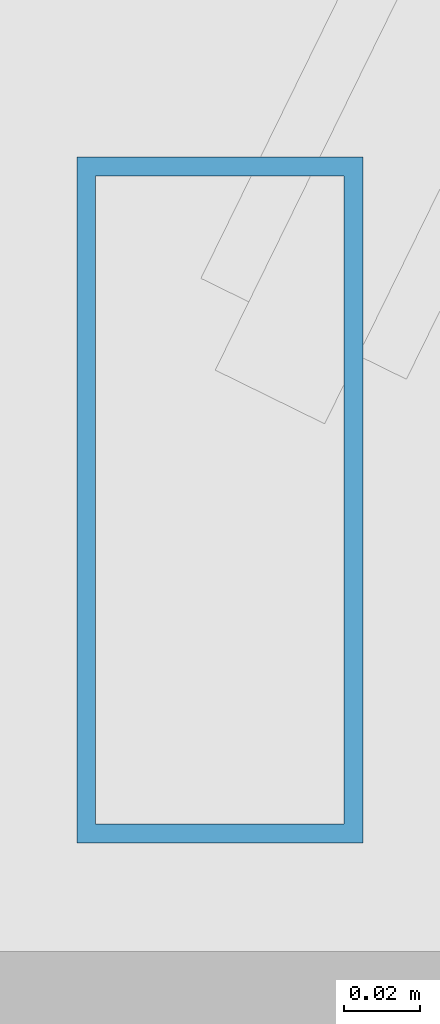
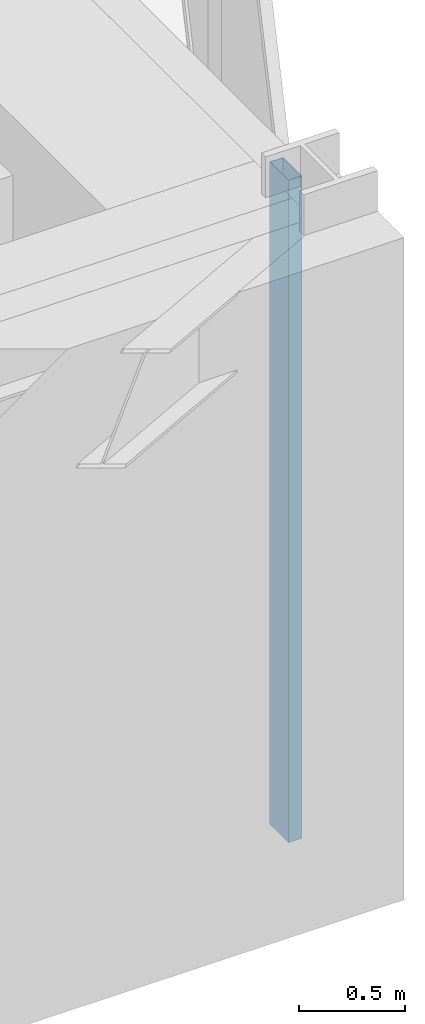
# One storey, part 16 of 29: 1 member, 1 element without a shape of its own.
"""IFC4 building model written with IfcOpenShell, lengths in metres."""

from ifc_helpers import new_model, si_unit, direction, frame, origin, origin_2d, place, context, subcontext, project, spatial, hollow_rectangle, extrude, material, layer, layer_set, material_profile, profile_set, type_object, element, aggregate, save


model = new_model("IFC4")

# Units and contexts
model_context = context("Model", 3, precision=1e-05, world=origin(), true_north=direction((0.0, 1.0)))
body_context = subcontext(model_context, "Body", "Model", "MODEL_VIEW")
ifc_project = project(units=[si_unit("LENGTHUNIT", "METRE"), si_unit("AREAUNIT", "SQUARE_METRE"), si_unit("VOLUMEUNIT", "CUBIC_METRE"), si_unit("PLANEANGLEUNIT", "RADIAN"), si_unit("MASSUNIT", "GRAM", prefix="KILO")], contexts=[model_context])

# Site, building, storey
site_placement = place(None, origin())
site = spatial("IfcSite", under=ifc_project, at=site_placement, CompositionType="ELEMENT")
building_placement = place(site_placement, origin())
building = spatial("IfcBuilding", under=site, at=building_placement, Name="Veymaron Broadcast Tower", CompositionType="ELEMENT")
storey_placement = place(building_placement, frame((0.0, 0.0, 62.10009765625)))
storey = spatial("IfcBuildingStorey", under=building, at=storey_placement, Name="L13", CompositionType="ELEMENT", Elevation=62.10009765625)

# Curtain wall, member
ifc_material_1 = material(Name="Anodised aluminium AA 6063-T6 and laminated low-E dark glass", Category="aluminium")
ifc_layer = layer(ifc_material_1, 0.179931640625)
ifc_layer_set = layer_set([ifc_layer], Name="Anodised aluminium AA 6063-T6 and laminated low-E dark glass")
curtain_wall_type = type_object("IfcCurtainWallType", Name="CW-SYS-02", PredefinedType="NOTDEFINED", material=ifc_layer_set)
curtain_wall_placement = place(storey_placement, origin())
curtain_wall = element("IfcCurtainWall", 1, at=curtain_wall_placement, inside=storey, type_object=curtain_wall_type, Name="L13 dark-glass curtain wall CW-L13-E2-1", PredefinedType="NOTDEFINED")
ifc_material_2 = material(Name="Anodised aluminium AA 6063-T6", Category="aluminium")
ifc_material_profile = material_profile(ifc_material_2, hollow_rectangle(XDim=0.074951171875, YDim=0.179931640625, WallThickness=0.0048828125, at=origin_2d()), Name="AL180X75X5")
ifc_profile_set = profile_set([ifc_material_profile], Name="Anodised aluminium AA 6063-T6")
member_type = type_object("IfcMemberType", Name="CW-MUL-02", PredefinedType="MULLION", material=ifc_profile_set)
member_placement = place(storey_placement, frame((54.60009765625, 16.31787109375, 0.0), z_axis=(0.0, 0.0, 1.0), x_axis=(1.0, 0.0, 0.0)))
member = element("IfcMember", 2, at=member_placement, type_object=member_type, Name="CW-L13-E2-1 mullion 0", PredefinedType="MULLION", context=body_context, shape_type="SweptSolid", body=[
    extrude(hollow_rectangle(XDim=0.074951171875, YDim=0.179931640625, WallThickness=0.0048828125, at=origin_2d()), origin(), (0.0, 0.0, 1.0), 3.809814453125),
])
aggregate(curtain_wall, [member])

save(model, "model.ifc")
